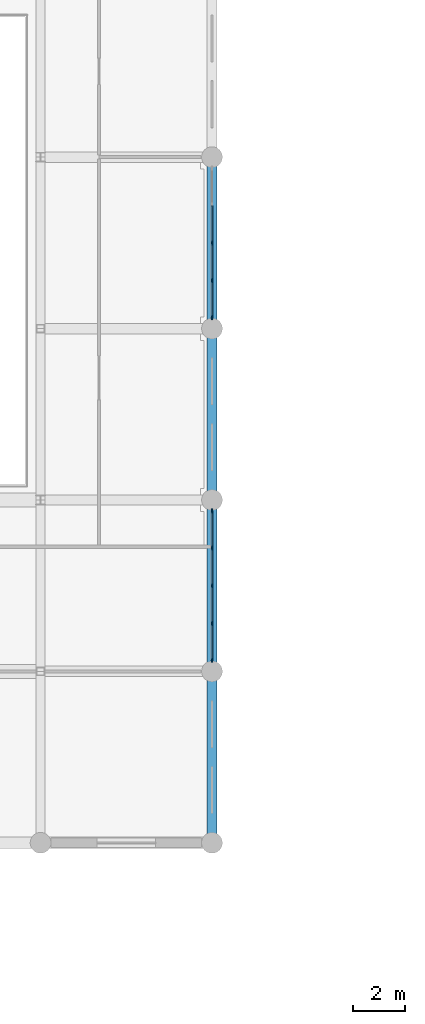
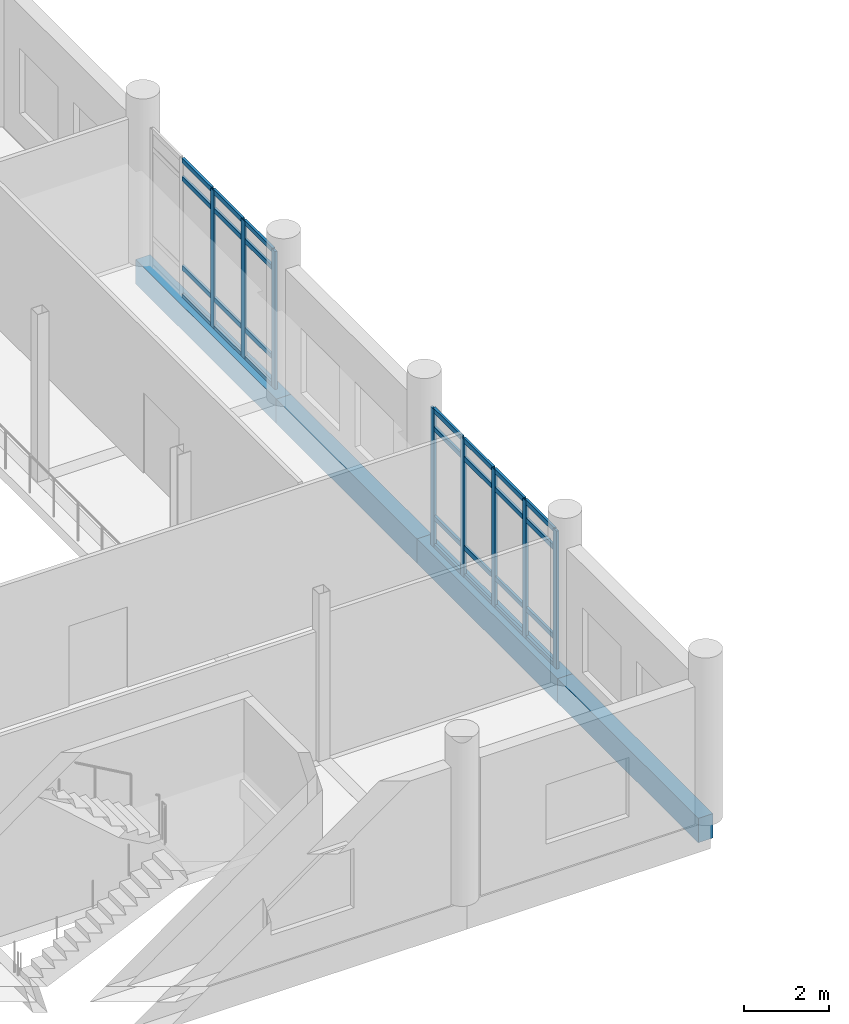
# One storey, part 24 of 125: 36 members, 4 beams, 2 elements without a shape of their own.
"""IFC4 building model written with IfcOpenShell, lengths in metres."""

from ifc_helpers import new_model, si_unit, direction, frame, origin, origin_2d, place, context, subcontext, project, spatial, rectangle, extrude, material, material_profile, profile_set, type_object, element, aggregate, save


model = new_model("IFC4")

# Units and contexts
model_context = context("Model", 3, precision=1e-05, world=origin(), true_north=direction((0.0, 1.0)))
body_context = subcontext(model_context, "Body", "Model", "MODEL_VIEW")
ifc_project = project(units=[si_unit("LENGTHUNIT", "METRE"), si_unit("AREAUNIT", "SQUARE_METRE"), si_unit("VOLUMEUNIT", "CUBIC_METRE"), si_unit("PLANEANGLEUNIT", "RADIAN"), si_unit("MASSUNIT", "GRAM", prefix="KILO")], contexts=[model_context])

# Site, building, storey
site_placement = place(None, origin())
site = spatial("IfcSite", under=ifc_project, at=site_placement, CompositionType="ELEMENT")
building_placement = place(site_placement, origin())
building = spatial("IfcBuilding", under=site, at=building_placement, Name="Dornvale Research Institute", CompositionType="ELEMENT")
storey_placement = place(building_placement, frame((0.0, 0.0, 5.39990234375)))
storey = spatial("IfcBuildingStorey", under=building, at=storey_placement, Name="L01", CompositionType="ELEMENT", Elevation=5.39990234375)

# Curtain wall, members
ifc_material_1 = material(Name="Low-E Argon Double Insulating Glazing Unit", Category="glass")
curtain_wall_type = type_object("IfcCurtainWallType", Name="UnitisedCurtainWall_V2_5810x3950", PredefinedType="USERDEFINED", material=ifc_material_1)
curtain_wall_1_placement = place(storey_placement, origin())
curtain_wall_1 = element("IfcCurtainWall", 1, at=curtain_wall_1_placement, inside=storey, type_object=curtain_wall_type, Name="L01 V2 unitised curtain wall CW-02 #8", ObjectType="UNITISED CURTAIN WALL", PredefinedType="USERDEFINED")
ifc_material_2 = material(Name="Anodized Aluminum AA 6063-T6 Thermally Broken Frame", Category="aluminium")
ifc_material_profile_1 = material_profile(ifc_material_2, rectangle(XDim=0.06494140625, YDim=0.1650390625, at=origin_2d()), Name="ALU MULLION 65x165")
ifc_profile_set_1 = profile_set([ifc_material_profile_1], Name="Anodized Aluminum AA 6063-T6 Thermally Broken Frame")
member_type_1 = type_object("IfcMemberType", Name="Mullion_Atrium_65x165", PredefinedType="MULLION", material=ifc_profile_set_1)
member_1_placement = place(storey_placement, frame((66.0, 62.699951171875, 0.0), z_axis=(0.0, 0.0, 1.0), x_axis=(1.0, 0.0, 0.0)))
member_1 = element("IfcMember", 2, at=member_1_placement, type_object=member_type_1, Name="CW-02 mullion 3", PredefinedType="MULLION", context=body_context, shape_type="SweptSolid", body=[
    extrude(rectangle(XDim=0.06494140625, YDim=0.1650390625, at=origin_2d()), origin(), (0.0, 0.0, 1.0), 3.9501953125),
])
member_2_placement = place(storey_placement, frame((66.0, 61.24755859375, 0.0), z_axis=(0.0, 0.0, 1.0), x_axis=(1.0, 0.0, 0.0)))
member_2 = element("IfcMember", 3, at=member_2_placement, type_object=member_type_1, Name="CW-02 mullion 4", PredefinedType="MULLION", context=body_context, shape_type="SweptSolid", body=[
    extrude(rectangle(XDim=0.06494140625, YDim=0.1650390625, at=origin_2d()), origin(), (0.0, 0.0, 1.0), 3.9501953125),
])
member_3_placement = place(storey_placement, frame((66.0, 59.827392578125, 0.0), z_axis=(0.0, 0.0, 1.0), x_axis=(1.0, 0.0, 0.0)))
member_3 = element("IfcMember", 4, at=member_3_placement, type_object=member_type_1, Name="CW-02 mullion 5", PredefinedType="MULLION", context=body_context, shape_type="SweptSolid", body=[
    extrude(rectangle(XDim=0.06494140625, YDim=0.1650390625, at=origin_2d()), origin(), (0.0, 0.0, 1.0), 3.9501953125),
])

curtain_wall_2_placement = place(storey_placement, origin())
curtain_wall_2 = element("IfcCurtainWall", 5, at=curtain_wall_2_placement, inside=storey, type_object=curtain_wall_type, Name="L01 V2 unitised curtain wall CW-02 #9", ObjectType="UNITISED CURTAIN WALL", PredefinedType="USERDEFINED")
member_4_placement = place(storey_placement, frame((66.0, 52.37255859375, 0.0), z_axis=(0.0, 0.0, 1.0), x_axis=(1.0, 0.0, 0.0)))
member_4 = element("IfcMember", 6, at=member_4_placement, type_object=member_type_1, Name="CW-02 mullion 1", PredefinedType="MULLION", context=body_context, shape_type="SweptSolid", body=[
    extrude(rectangle(XDim=0.06494140625, YDim=0.1650390625, at=origin_2d()), origin(), (0.0, 0.0, 1.0), 3.9501953125),
])
member_5_placement = place(storey_placement, frame((66.0, 50.952392578125, 0.0), z_axis=(0.0, 0.0, 1.0), x_axis=(1.0, 0.0, 0.0)))
member_5 = element("IfcMember", 7, at=member_5_placement, type_object=member_type_1, Name="CW-02 mullion 2", PredefinedType="MULLION", context=body_context, shape_type="SweptSolid", body=[
    extrude(rectangle(XDim=0.06494140625, YDim=0.1650390625, at=origin_2d()), origin(), (0.0, 0.0, 1.0), 3.9501953125),
])
member_6_placement = place(storey_placement, frame((66.0, 49.5, 0.0), z_axis=(0.0, 0.0, 1.0), x_axis=(1.0, 0.0, 0.0)))
member_6 = element("IfcMember", 8, at=member_6_placement, type_object=member_type_1, Name="CW-02 mullion 3", PredefinedType="MULLION", context=body_context, shape_type="SweptSolid", body=[
    extrude(rectangle(XDim=0.06494140625, YDim=0.1650390625, at=origin_2d()), origin(), (0.0, 0.0, 1.0), 3.9501953125),
])
member_7_placement = place(storey_placement, frame((66.0, 48.047607421875, 0.0), z_axis=(0.0, 0.0, 1.0), x_axis=(1.0, 0.0, 0.0)))
member_7 = element("IfcMember", 9, at=member_7_placement, type_object=member_type_1, Name="CW-02 mullion 4", PredefinedType="MULLION", context=body_context, shape_type="SweptSolid", body=[
    extrude(rectangle(XDim=0.06494140625, YDim=0.1650390625, at=origin_2d()), origin(), (0.0, 0.0, 1.0), 3.9501953125),
])
member_8_placement = place(storey_placement, frame((66.0, 46.62744140625, 0.0), z_axis=(0.0, 0.0, 1.0), x_axis=(1.0, 0.0, 0.0)))
member_8 = element("IfcMember", 10, at=member_8_placement, type_object=member_type_1, Name="CW-02 mullion 5", PredefinedType="MULLION", context=body_context, shape_type="SweptSolid", body=[
    extrude(rectangle(XDim=0.06494140625, YDim=0.1650390625, at=origin_2d()), origin(), (0.0, 0.0, 1.0), 3.9501953125),
])

# Beams
ifc_material_3 = material(Name="Concrete f'c 45 MPa (C35/45)", Category="concrete")
ifc_material_profile_2 = material_profile(ifc_material_3, rectangle(XDim=0.39990234375, YDim=0.699951171875, at=origin_2d()), Name="RC 400x700")
ifc_profile_set_2 = profile_set([ifc_material_profile_2], Name="Concrete f'c 45 MPa (C35/45)")
beam_type = type_object("IfcBeamType", Name="Spandrel_RC400x700_Ext", PredefinedType="SPANDREL", material=ifc_profile_set_2)
beam_1_placement = place(storey_placement, frame((66.0, 39.60009765625, -0.349853515625), z_axis=(0.0, 1.0, 0.0), x_axis=(-1.0, 0.0, 0.0)))
element("IfcBeam", 11, at=beam_1_placement, inside=storey, type_object=beam_type, Name="L01 perimeter spandrel #545", PredefinedType="SPANDREL", context=body_context, shape_type="SweptSolid", body=[
    extrude(rectangle(XDim=0.39990234375, YDim=0.699951171875, at=origin_2d()), origin(), (0.0, 0.0, 1.0), 6.599853515625),
])
beam_2_placement = place(storey_placement, frame((66.0, 46.199951171875, -0.349853515625), z_axis=(0.0, 1.0, 0.0), x_axis=(-1.0, 0.0, 0.0)))
element("IfcBeam", 12, at=beam_2_placement, inside=storey, type_object=beam_type, Name="L01 perimeter spandrel #546", PredefinedType="SPANDREL", context=body_context, shape_type="SweptSolid", body=[
    extrude(rectangle(XDim=0.39990234375, YDim=0.699951171875, at=origin_2d()), origin(), (0.0, 0.0, 1.0), 6.60009765625),
])
beam_3_placement = place(storey_placement, frame((66.0, 52.800048828125, -0.349853515625), z_axis=(0.0, 1.0, 0.0), x_axis=(-1.0, 0.0, 0.0)))
element("IfcBeam", 13, at=beam_3_placement, inside=storey, type_object=beam_type, Name="L01 perimeter spandrel #547", PredefinedType="SPANDREL", context=body_context, shape_type="SweptSolid", body=[
    extrude(rectangle(XDim=0.39990234375, YDim=0.699951171875, at=origin_2d()), origin(), (0.0, 0.0, 1.0), 6.599853515625),
])
beam_4_placement = place(storey_placement, frame((66.0, 59.39990234375, -0.349853515625), z_axis=(0.0, 1.0, 0.0), x_axis=(-1.0, 0.0, 0.0)))
element("IfcBeam", 14, at=beam_4_placement, inside=storey, type_object=beam_type, Name="L01 perimeter spandrel #548", PredefinedType="SPANDREL", context=body_context, shape_type="SweptSolid", body=[
    extrude(rectangle(XDim=0.39990234375, YDim=0.699951171875, at=origin_2d()), origin(), (0.0, 0.0, 1.0), 6.60009765625),
])

# Member
ifc_material_4 = material(Name="Anodized Aluminum AA 6063-T6 Thermally Broken Frame", Category="aluminium")
ifc_material_profile_3 = material_profile(ifc_material_4, rectangle(XDim=0.06494140625, YDim=0.135009765625, at=origin_2d()), Name="ALU TRANSOM 65x135")
ifc_profile_set_3 = profile_set([ifc_material_profile_3], Name="Anodized Aluminum AA 6063-T6 Thermally Broken Frame")
member_type_2 = type_object("IfcMemberType", Name="Transom_CW_65x135", PredefinedType="USERDEFINED", material=ifc_profile_set_3)
member_9_placement = place(storey_placement, frame((66.0, 64.1201171875, 0.03271484375), z_axis=(0.0, -1.0, 0.0), x_axis=(1.0, 0.0, 0.0)))
member_9 = element("IfcMember", 15, at=member_9_placement, type_object=member_type_2, Name="CW-02 transom 2.1", ObjectType="TRANSOM", PredefinedType="USERDEFINED", context=body_context, shape_type="SweptSolid", body=[
    extrude(rectangle(XDim=0.06494140625, YDim=0.135009765625, at=origin_2d()), origin(), (0.0, 0.0, 1.0), 1.3876953125),
])

member_10_placement = place(storey_placement, frame((66.0, 64.1201171875, 0.85009765625), z_axis=(0.0, -1.0, 0.0), x_axis=(1.0, 0.0, 0.0)))
member_10 = element("IfcMember", 16, at=member_10_placement, type_object=member_type_2, Name="CW-02 transom 2.2", ObjectType="TRANSOM", PredefinedType="USERDEFINED", context=body_context, shape_type="SweptSolid", body=[
    extrude(rectangle(XDim=0.06494140625, YDim=0.135009765625, at=origin_2d()), origin(), (0.0, 0.0, 1.0), 1.3876953125),
])

member_11_placement = place(storey_placement, frame((66.0, 64.1201171875, 3.400146484375), z_axis=(0.0, -1.0, 0.0), x_axis=(1.0, 0.0, 0.0)))
member_11 = element("IfcMember", 17, at=member_11_placement, type_object=member_type_2, Name="CW-02 transom 2.3", ObjectType="TRANSOM", PredefinedType="USERDEFINED", context=body_context, shape_type="SweptSolid", body=[
    extrude(rectangle(XDim=0.06494140625, YDim=0.135009765625, at=origin_2d()), origin(), (0.0, 0.0, 1.0), 1.3876953125),
])

member_12_placement = place(storey_placement, frame((66.0, 64.1201171875, 3.91748046875), z_axis=(0.0, -1.0, 0.0), x_axis=(1.0, 0.0, 0.0)))
member_12 = element("IfcMember", 18, at=member_12_placement, type_object=member_type_2, Name="CW-02 transom 2.4", ObjectType="TRANSOM", PredefinedType="USERDEFINED", context=body_context, shape_type="SweptSolid", body=[
    extrude(rectangle(XDim=0.06494140625, YDim=0.135009765625, at=origin_2d()), origin(), (0.0, 0.0, 1.0), 1.3876953125),
])

member_13_placement = place(storey_placement, frame((66.0, 62.66748046875, 0.03271484375), z_axis=(0.0, -1.0, 0.0), x_axis=(1.0, 0.0, 0.0)))
member_13 = element("IfcMember", 19, at=member_13_placement, type_object=member_type_2, Name="CW-02 transom 3.1", ObjectType="TRANSOM", PredefinedType="USERDEFINED", context=body_context, shape_type="SweptSolid", body=[
    extrude(rectangle(XDim=0.06494140625, YDim=0.135009765625, at=origin_2d()), origin(), (0.0, 0.0, 1.0), 1.387451171875),
])

member_14_placement = place(storey_placement, frame((66.0, 62.66748046875, 0.85009765625), z_axis=(0.0, -1.0, 0.0), x_axis=(1.0, 0.0, 0.0)))
member_14 = element("IfcMember", 20, at=member_14_placement, type_object=member_type_2, Name="CW-02 transom 3.2", ObjectType="TRANSOM", PredefinedType="USERDEFINED", context=body_context, shape_type="SweptSolid", body=[
    extrude(rectangle(XDim=0.06494140625, YDim=0.135009765625, at=origin_2d()), origin(), (0.0, 0.0, 1.0), 1.387451171875),
])

member_15_placement = place(storey_placement, frame((66.0, 62.66748046875, 3.400146484375), z_axis=(0.0, -1.0, 0.0), x_axis=(1.0, 0.0, 0.0)))
member_15 = element("IfcMember", 21, at=member_15_placement, type_object=member_type_2, Name="CW-02 transom 3.3", ObjectType="TRANSOM", PredefinedType="USERDEFINED", context=body_context, shape_type="SweptSolid", body=[
    extrude(rectangle(XDim=0.06494140625, YDim=0.135009765625, at=origin_2d()), origin(), (0.0, 0.0, 1.0), 1.387451171875),
])

member_16_placement = place(storey_placement, frame((66.0, 62.66748046875, 3.91748046875), z_axis=(0.0, -1.0, 0.0), x_axis=(1.0, 0.0, 0.0)))
member_16 = element("IfcMember", 22, at=member_16_placement, type_object=member_type_2, Name="CW-02 transom 3.4", ObjectType="TRANSOM", PredefinedType="USERDEFINED", context=body_context, shape_type="SweptSolid", body=[
    extrude(rectangle(XDim=0.06494140625, YDim=0.135009765625, at=origin_2d()), origin(), (0.0, 0.0, 1.0), 1.387451171875),
])

member_17_placement = place(storey_placement, frame((66.0, 61.215087890625, 0.03271484375), z_axis=(0.0, -1.0, 0.0), x_axis=(1.0, 0.0, 0.0)))
member_17 = element("IfcMember", 23, at=member_17_placement, type_object=member_type_2, Name="CW-02 transom 4.1", ObjectType="TRANSOM", PredefinedType="USERDEFINED", context=body_context, shape_type="SweptSolid", body=[
    extrude(rectangle(XDim=0.06494140625, YDim=0.135009765625, at=origin_2d()), origin(), (0.0, 0.0, 1.0), 1.35498046875),
])

member_18_placement = place(storey_placement, frame((66.0, 61.215087890625, 0.85009765625), z_axis=(0.0, -1.0, 0.0), x_axis=(1.0, 0.0, 0.0)))
member_18 = element("IfcMember", 24, at=member_18_placement, type_object=member_type_2, Name="CW-02 transom 4.2", ObjectType="TRANSOM", PredefinedType="USERDEFINED", context=body_context, shape_type="SweptSolid", body=[
    extrude(rectangle(XDim=0.06494140625, YDim=0.135009765625, at=origin_2d()), origin(), (0.0, 0.0, 1.0), 1.35498046875),
])

member_19_placement = place(storey_placement, frame((66.0, 61.215087890625, 3.400146484375), z_axis=(0.0, -1.0, 0.0), x_axis=(1.0, 0.0, 0.0)))
member_19 = element("IfcMember", 25, at=member_19_placement, type_object=member_type_2, Name="CW-02 transom 4.3", ObjectType="TRANSOM", PredefinedType="USERDEFINED", context=body_context, shape_type="SweptSolid", body=[
    extrude(rectangle(XDim=0.06494140625, YDim=0.135009765625, at=origin_2d()), origin(), (0.0, 0.0, 1.0), 1.35498046875),
])

member_20_placement = place(storey_placement, frame((66.0, 61.215087890625, 3.91748046875), z_axis=(0.0, -1.0, 0.0), x_axis=(1.0, 0.0, 0.0)))
member_20 = element("IfcMember", 26, at=member_20_placement, type_object=member_type_2, Name="CW-02 transom 4.4", ObjectType="TRANSOM", PredefinedType="USERDEFINED", context=body_context, shape_type="SweptSolid", body=[
    extrude(rectangle(XDim=0.06494140625, YDim=0.135009765625, at=origin_2d()), origin(), (0.0, 0.0, 1.0), 1.35498046875),
])

aggregate(curtain_wall_1, [member_1, member_2, member_3, member_9, member_10, member_11, member_12, member_13, member_14, member_15, member_16, member_17, member_18, member_19, member_20])

member_21_placement = place(storey_placement, frame((66.0, 52.340087890625, 0.03271484375), z_axis=(0.0, -1.0, 0.0), x_axis=(1.0, 0.0, 0.0)))
member_21 = element("IfcMember", 27, at=member_21_placement, type_object=member_type_2, Name="CW-02 transom 1.1", ObjectType="TRANSOM", PredefinedType="USERDEFINED", context=body_context, shape_type="SweptSolid", body=[
    extrude(rectangle(XDim=0.06494140625, YDim=0.135009765625, at=origin_2d()), origin(), (0.0, 0.0, 1.0), 1.35498046875),
])

member_22_placement = place(storey_placement, frame((66.0, 52.340087890625, 0.85009765625), z_axis=(0.0, -1.0, 0.0), x_axis=(1.0, 0.0, 0.0)))
member_22 = element("IfcMember", 28, at=member_22_placement, type_object=member_type_2, Name="CW-02 transom 1.2", ObjectType="TRANSOM", PredefinedType="USERDEFINED", context=body_context, shape_type="SweptSolid", body=[
    extrude(rectangle(XDim=0.06494140625, YDim=0.135009765625, at=origin_2d()), origin(), (0.0, 0.0, 1.0), 1.35498046875),
])

member_23_placement = place(storey_placement, frame((66.0, 52.340087890625, 3.400146484375), z_axis=(0.0, -1.0, 0.0), x_axis=(1.0, 0.0, 0.0)))
member_23 = element("IfcMember", 29, at=member_23_placement, type_object=member_type_2, Name="CW-02 transom 1.3", ObjectType="TRANSOM", PredefinedType="USERDEFINED", context=body_context, shape_type="SweptSolid", body=[
    extrude(rectangle(XDim=0.06494140625, YDim=0.135009765625, at=origin_2d()), origin(), (0.0, 0.0, 1.0), 1.35498046875),
])

member_24_placement = place(storey_placement, frame((66.0, 52.340087890625, 3.91748046875), z_axis=(0.0, -1.0, 0.0), x_axis=(1.0, 0.0, 0.0)))
member_24 = element("IfcMember", 30, at=member_24_placement, type_object=member_type_2, Name="CW-02 transom 1.4", ObjectType="TRANSOM", PredefinedType="USERDEFINED", context=body_context, shape_type="SweptSolid", body=[
    extrude(rectangle(XDim=0.06494140625, YDim=0.135009765625, at=origin_2d()), origin(), (0.0, 0.0, 1.0), 1.35498046875),
])

member_25_placement = place(storey_placement, frame((66.0, 50.919921875, 0.03271484375), z_axis=(0.0, -1.0, 0.0), x_axis=(1.0, 0.0, 0.0)))
member_25 = element("IfcMember", 31, at=member_25_placement, type_object=member_type_2, Name="CW-02 transom 2.1", ObjectType="TRANSOM", PredefinedType="USERDEFINED", context=body_context, shape_type="SweptSolid", body=[
    extrude(rectangle(XDim=0.06494140625, YDim=0.135009765625, at=origin_2d()), origin(), (0.0, 0.0, 1.0), 1.387451171875),
])

member_26_placement = place(storey_placement, frame((66.0, 50.919921875, 0.85009765625), z_axis=(0.0, -1.0, 0.0), x_axis=(1.0, 0.0, 0.0)))
member_26 = element("IfcMember", 32, at=member_26_placement, type_object=member_type_2, Name="CW-02 transom 2.2", ObjectType="TRANSOM", PredefinedType="USERDEFINED", context=body_context, shape_type="SweptSolid", body=[
    extrude(rectangle(XDim=0.06494140625, YDim=0.135009765625, at=origin_2d()), origin(), (0.0, 0.0, 1.0), 1.387451171875),
])

member_27_placement = place(storey_placement, frame((66.0, 50.919921875, 3.400146484375), z_axis=(0.0, -1.0, 0.0), x_axis=(1.0, 0.0, 0.0)))
member_27 = element("IfcMember", 33, at=member_27_placement, type_object=member_type_2, Name="CW-02 transom 2.3", ObjectType="TRANSOM", PredefinedType="USERDEFINED", context=body_context, shape_type="SweptSolid", body=[
    extrude(rectangle(XDim=0.06494140625, YDim=0.135009765625, at=origin_2d()), origin(), (0.0, 0.0, 1.0), 1.387451171875),
])

member_28_placement = place(storey_placement, frame((66.0, 50.919921875, 3.91748046875), z_axis=(0.0, -1.0, 0.0), x_axis=(1.0, 0.0, 0.0)))
member_28 = element("IfcMember", 34, at=member_28_placement, type_object=member_type_2, Name="CW-02 transom 2.4", ObjectType="TRANSOM", PredefinedType="USERDEFINED", context=body_context, shape_type="SweptSolid", body=[
    extrude(rectangle(XDim=0.06494140625, YDim=0.135009765625, at=origin_2d()), origin(), (0.0, 0.0, 1.0), 1.387451171875),
])

member_29_placement = place(storey_placement, frame((66.0, 49.467529296875, 0.03271484375), z_axis=(0.0, -1.0, 0.0), x_axis=(1.0, 0.0, 0.0)))
member_29 = element("IfcMember", 35, at=member_29_placement, type_object=member_type_2, Name="CW-02 transom 3.1", ObjectType="TRANSOM", PredefinedType="USERDEFINED", context=body_context, shape_type="SweptSolid", body=[
    extrude(rectangle(XDim=0.06494140625, YDim=0.135009765625, at=origin_2d()), origin(), (0.0, 0.0, 1.0), 1.387451171875),
])

member_30_placement = place(storey_placement, frame((66.0, 49.467529296875, 0.85009765625), z_axis=(0.0, -1.0, 0.0), x_axis=(1.0, 0.0, 0.0)))
member_30 = element("IfcMember", 36, at=member_30_placement, type_object=member_type_2, Name="CW-02 transom 3.2", ObjectType="TRANSOM", PredefinedType="USERDEFINED", context=body_context, shape_type="SweptSolid", body=[
    extrude(rectangle(XDim=0.06494140625, YDim=0.135009765625, at=origin_2d()), origin(), (0.0, 0.0, 1.0), 1.387451171875),
])

member_31_placement = place(storey_placement, frame((66.0, 49.467529296875, 3.400146484375), z_axis=(0.0, -1.0, 0.0), x_axis=(1.0, 0.0, 0.0)))
member_31 = element("IfcMember", 37, at=member_31_placement, type_object=member_type_2, Name="CW-02 transom 3.3", ObjectType="TRANSOM", PredefinedType="USERDEFINED", context=body_context, shape_type="SweptSolid", body=[
    extrude(rectangle(XDim=0.06494140625, YDim=0.135009765625, at=origin_2d()), origin(), (0.0, 0.0, 1.0), 1.387451171875),
])

member_32_placement = place(storey_placement, frame((66.0, 49.467529296875, 3.91748046875), z_axis=(0.0, -1.0, 0.0), x_axis=(1.0, 0.0, 0.0)))
member_32 = element("IfcMember", 38, at=member_32_placement, type_object=member_type_2, Name="CW-02 transom 3.4", ObjectType="TRANSOM", PredefinedType="USERDEFINED", context=body_context, shape_type="SweptSolid", body=[
    extrude(rectangle(XDim=0.06494140625, YDim=0.135009765625, at=origin_2d()), origin(), (0.0, 0.0, 1.0), 1.387451171875),
])

member_33_placement = place(storey_placement, frame((66.0, 48.014892578125, 0.03271484375), z_axis=(0.0, -1.0, 0.0), x_axis=(1.0, 0.0, 0.0)))
member_33 = element("IfcMember", 39, at=member_33_placement, type_object=member_type_2, Name="CW-02 transom 4.1", ObjectType="TRANSOM", PredefinedType="USERDEFINED", context=body_context, shape_type="SweptSolid", body=[
    extrude(rectangle(XDim=0.06494140625, YDim=0.135009765625, at=origin_2d()), origin(), (0.0, 0.0, 1.0), 1.35498046875),
])

member_34_placement = place(storey_placement, frame((66.0, 48.014892578125, 0.85009765625), z_axis=(0.0, -1.0, 0.0), x_axis=(1.0, 0.0, 0.0)))
member_34 = element("IfcMember", 40, at=member_34_placement, type_object=member_type_2, Name="CW-02 transom 4.2", ObjectType="TRANSOM", PredefinedType="USERDEFINED", context=body_context, shape_type="SweptSolid", body=[
    extrude(rectangle(XDim=0.06494140625, YDim=0.135009765625, at=origin_2d()), origin(), (0.0, 0.0, 1.0), 1.35498046875),
])

member_35_placement = place(storey_placement, frame((66.0, 48.014892578125, 3.400146484375), z_axis=(0.0, -1.0, 0.0), x_axis=(1.0, 0.0, 0.0)))
member_35 = element("IfcMember", 41, at=member_35_placement, type_object=member_type_2, Name="CW-02 transom 4.3", ObjectType="TRANSOM", PredefinedType="USERDEFINED", context=body_context, shape_type="SweptSolid", body=[
    extrude(rectangle(XDim=0.06494140625, YDim=0.135009765625, at=origin_2d()), origin(), (0.0, 0.0, 1.0), 1.35498046875),
])

member_36_placement = place(storey_placement, frame((66.0, 48.014892578125, 3.91748046875), z_axis=(0.0, -1.0, 0.0), x_axis=(1.0, 0.0, 0.0)))
member_36 = element("IfcMember", 42, at=member_36_placement, type_object=member_type_2, Name="CW-02 transom 4.4", ObjectType="TRANSOM", PredefinedType="USERDEFINED", context=body_context, shape_type="SweptSolid", body=[
    extrude(rectangle(XDim=0.06494140625, YDim=0.135009765625, at=origin_2d()), origin(), (0.0, 0.0, 1.0), 1.35498046875),
])

aggregate(curtain_wall_2, [member_4, member_5, member_6, member_7, member_8, member_21, member_22, member_23, member_24, member_25, member_26, member_27, member_28, member_29, member_30, member_31, member_32, member_33, member_34, member_35, member_36])

save(model, "model.ifc")
